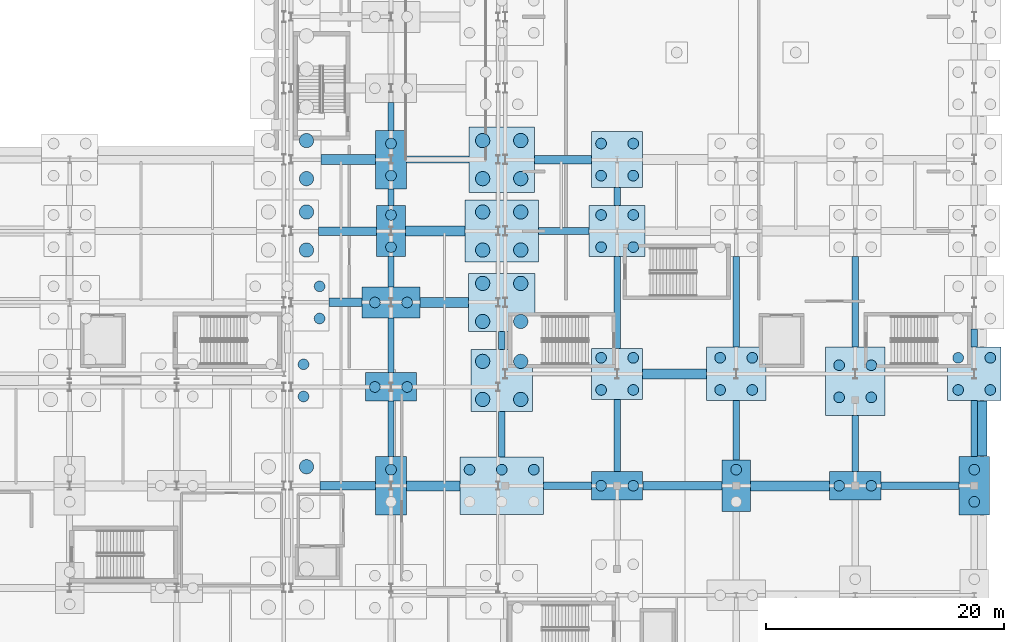
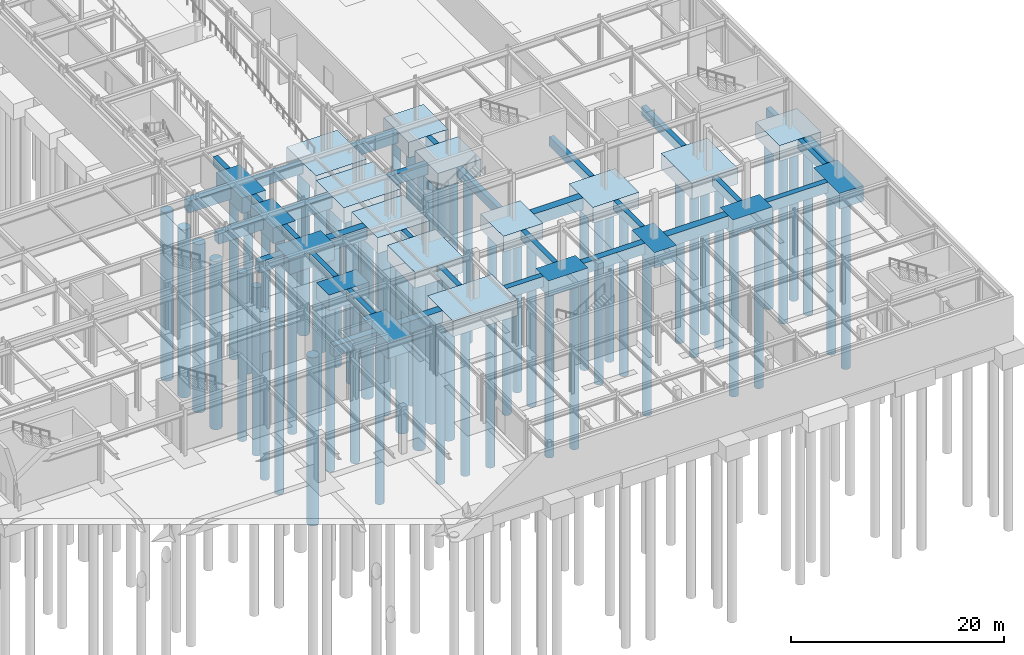
# One storey, part 9 of 65: 68 piles, 52 footings.
"""IFC4 building model written with IfcOpenShell, lengths in metres."""

from ifc_helpers import new_model, si_unit, direction, frame, origin, origin_2d, place, context, subcontext, project, spatial, rectangle, circle, extrude, material, material_profile, profile_set, type_object, element, save


model = new_model("IFC4")

# Units and contexts
model_context = context("Model", 3, precision=1e-05, world=origin(), true_north=direction((0.0, 1.0)))
body_context = subcontext(model_context, "Body", "Model", "MODEL_VIEW")
ifc_project = project(units=[si_unit("LENGTHUNIT", "METRE"), si_unit("AREAUNIT", "SQUARE_METRE"), si_unit("VOLUMEUNIT", "CUBIC_METRE"), si_unit("PLANEANGLEUNIT", "RADIAN"), si_unit("MASSUNIT", "GRAM", prefix="KILO")], contexts=[model_context])

# Site, building, storey
site_placement = place(None, origin())
site = spatial("IfcSite", under=ifc_project, at=site_placement, CompositionType="ELEMENT")
building_placement = place(site_placement, origin())
building = spatial("IfcBuilding", under=site, at=building_placement, Name="Kaldris Quays Convention Centre", CompositionType="ELEMENT")
storey_placement = place(building_placement, frame((0.0, 0.0, -5.39990234375)))
storey = spatial("IfcBuildingStorey", under=building, at=storey_placement, Name="B1", CompositionType="ELEMENT", Elevation=-5.39990234375)

# Piles
ifc_material = material(Name="Concrete C35/45", Category="concrete")
ifc_material_profile_1 = material_profile(ifc_material, circle(Radius=0.449951171875, at=origin_2d()), Name="BORED PILE D900")
ifc_profile_set_1 = profile_set([ifc_material_profile_1], Name="Concrete C35/45")
pile_type_1 = type_object("IfcPileType", Name="BORED PILE P01", PredefinedType="BORED", material=ifc_profile_set_1)
for number, where, z_axis, x_axis, name in (
    (1, (147.64990234375, 54.10009765625, -1.7001953125), (0.0, 0.0, -1.0), (1.0, 0.0, 0.0), "Bored Pile P01 460"),
    (2, (147.64990234375, 56.800048828125, -1.7001953125), (0.0, 0.0, -1.0), (1.0, 0.0, 0.0), "Bored Pile P01 462"),
    (3, (149.0, 60.64990234375, -1.7001953125), (0.0, 0.0, -1.0), (1.0, 0.0, 0.0), "Bored Pile P01 465"),
    (4, (149.0, 63.35009765625, -1.7001953125), (0.0, 0.0, -1.0), (1.0, 0.0, 0.0), "Bored Pile P01 468"),
    (5, (155.0, 47.949951171875, -1.7001953125), (0.0, 0.0, -1.0), (1.0, 0.0, 0.0), "Bored Pile P01 534"),
    (6, (153.64990234375, 54.89990234375, -1.7001953125), (0.0, 0.0, -1.0), (1.0, 0.0, 0.0), "Bored Pile P01 535"),
    (7, (156.35009765625, 54.89990234375, -1.7001953125), (0.0, 0.0, -1.0), (1.0, 0.0, 0.0), "Bored Pile P01 536"),
    (8, (153.64990234375, 62.0, -1.7001953125), (0.0, 0.0, -1.0), (1.0, 0.0, 0.0), "Bored Pile P01 537"),
    (9, (156.35009765625, 62.0, -1.7001953125), (0.0, 0.0, -1.0), (1.0, 0.0, 0.0), "Bored Pile P01 538"),
    (10, (155.0, 66.64990234375, -1.7001953125), (0.0, 0.0, -1.0), (1.0, 0.0, 0.0), "Bored Pile P01 539"),
    (11, (155.0, 69.35009765625, -1.7001953125), (0.0, 0.0, -1.0), (1.0, 0.0, 0.0), "Bored Pile P01 540"),
    (12, (155.0, 72.64990234375, -1.7001953125), (0.0, 0.0, -1.0), (1.0, 0.0, 0.0), "Bored Pile P01 541"),
    (13, (155.0, 75.35009765625, -1.7001953125), (0.0, 0.0, -1.0), (1.0, 0.0, 0.0), "Bored Pile P01 542"),
    (14, (161.60009765625, 47.949951171875, -1.7001953125), (0.0, 0.0, -1.0), (1.0, 0.0, 0.0), "Bored Pile P01 570"),
    (15, (164.300048828125, 47.949951171875, -1.7001953125), (0.0, 0.0, -1.0), (1.0, 0.0, 0.0), "Bored Pile P01 571"),
    (16, (167.0, 47.949951171875, -1.7001953125), (0.0, 0.0, -1.0), (1.0, 0.0, 0.0), "Bored Pile P01 572"),
    (17, (172.64990234375, 46.60009765625, -1.7001953125), (0.0, 0.0, -1.0), (1.0, 0.0, 0.0), "Bored Pile P01 633"),
    (18, (175.35009765625, 46.60009765625, -1.7001953125), (0.0, 0.0, -1.0), (1.0, 0.0, 0.0), "Bored Pile P01 634"),
    (19, (172.64990234375, 54.64990234375, -1.7001953125), (0.0, 0.0, -1.0), (1.0, 0.0, 0.0), "Bored Pile P01 635"),
    (20, (175.35009765625, 54.64990234375, -1.7001953125), (0.0, 0.0, -1.0), (1.0, 0.0, 0.0), "Bored Pile P01 636"),
    (21, (172.64990234375, 57.35009765625, -1.7001953125), (0.0, 0.0, -1.0), (1.0, 0.0, 0.0), "Bored Pile P01 637"),
    (22, (175.35009765625, 57.35009765625, -1.7001953125), (0.0, 0.0, -1.0), (1.0, 0.0, 0.0), "Bored Pile P01 638"),
    (23, (172.64990234375, 66.64990234375, -1.7001953125), (0.0, 0.0, -1.0), (1.0, 0.0, 0.0), "Bored Pile P01 639"),
    (24, (175.35009765625, 66.64990234375, -1.7001953125), (0.0, 0.0, -1.0), (1.0, 0.0, 0.0), "Bored Pile P01 640"),
    (25, (172.64990234375, 69.35009765625, -1.7001953125), (0.0, 0.0, -1.0), (1.0, 0.0, 0.0), "Bored Pile P01 641"),
    (26, (175.35009765625, 69.35009765625, -1.7001953125), (0.0, 0.0, -1.0), (1.0, 0.0, 0.0), "Bored Pile P01 642"),
    (27, (172.64990234375, 72.64990234375, -1.7001953125), (0.0, 0.0, -1.0), (1.0, 0.0, 0.0), "Bored Pile P01 643"),
    (28, (175.35009765625, 72.64990234375, -1.7001953125), (0.0, 0.0, -1.0), (1.0, 0.0, 0.0), "Bored Pile P01 644"),
    (29, (172.64990234375, 75.35009765625, -1.7001953125), (0.0, 0.0, -1.0), (1.0, 0.0, 0.0), "Bored Pile P01 645"),
    (30, (175.35009765625, 75.35009765625, -1.7001953125), (0.0, 0.0, -1.0), (1.0, 0.0, 0.0), "Bored Pile P01 646"),
    (31, (184.0, 47.949951171875, -1.7001953125), (0.0, 0.0, -1.0), (1.0, 0.0, 0.0), "Bored Pile P01 670"),
    (32, (182.64990234375, 54.64990234375, -1.7001953125), (0.0, 0.0, -1.0), (1.0, 0.0, 0.0), "Bored Pile P01 671"),
    (33, (185.35009765625, 54.64990234375, -1.7001953125), (0.0, 0.0, -1.0), (1.0, 0.0, 0.0), "Bored Pile P01 672"),
    (34, (182.64990234375, 57.35009765625, -1.7001953125), (0.0, 0.0, -1.0), (1.0, 0.0, 0.0), "Bored Pile P01 673"),
    (35, (185.35009765625, 57.35009765625, -1.7001953125), (0.0, 0.0, -1.0), (1.0, 0.0, 0.0), "Bored Pile P01 674"),
    (36, (192.64990234375, 46.60009765625, -1.7001953125), (0.0, 0.0, -1.0), (1.0, 0.0, 0.0), "Bored Pile P01 705"),
    (37, (195.35009765625, 46.60009765625, -1.7001953125), (0.0, 0.0, -1.0), (1.0, 0.0, 0.0), "Bored Pile P01 706"),
    (38, (192.64990234375, 54.02490234375, -1.7001953125), (0.0, 0.0, -1.0), (1.0, 0.0, 0.0), "Bored Pile P01 707"),
    (39, (195.35009765625, 54.02490234375, -1.7001953125), (0.0, 0.0, -1.0), (1.0, 0.0, 0.0), "Bored Pile P01 708"),
    (40, (192.64990234375, 56.72509765625, -1.7001953125), (0.0, 0.0, -1.0), (1.0, 0.0, 0.0), "Bored Pile P01 709"),
    (41, (195.35009765625, 56.72509765625, -1.7001953125), (0.0, 0.0, -1.0), (1.0, 0.0, 0.0), "Bored Pile P01 710"),
    (42, (204.0, 45.25, -1.7001953125), (0.0, 0.0, -1.0), (1.0, 0.0, 0.0), "Bored Pile P01 741"),
    (43, (204.0, 47.949951171875, -1.7001953125), (0.0, 0.0, -1.0), (1.0, 0.0, 0.0), "Bored Pile P01 742"),
    (44, (202.64990234375, 54.64990234375, -1.7001953125), (0.0, 0.0, -1.0), (1.0, 0.0, 0.0), "Bored Pile P01 743"),
    (45, (205.35009765625, 54.64990234375, -1.7001953125), (0.0, 0.0, -1.0), (1.0, 0.0, 0.0), "Bored Pile P01 744"),
    (46, (202.64990234375, 57.35009765625, -1.7001953125), (0.0, 0.0, -1.0), (1.0, 0.0, 0.0), "Bored Pile P01 745"),
    (47, (205.35009765625, 57.35009765625, -1.7001953125), (0.0, 0.0, -1.0), (1.0, 0.0, 0.0), "Bored Pile P01 746"),
):
    element("IfcPile", number, at=place(storey_placement, frame(where, z_axis=z_axis, x_axis=x_axis)), inside=storey, type_object=pile_type_1, Name=name, PredefinedType="BORED", context=body_context, shape_type="SweptSolid", body=[
        extrude(circle(Radius=0.449951171875, at=origin_2d()), origin(), (0.0, 0.0, 1.0), 19.300048828125),
    ])
ifc_material_profile_2 = material_profile(ifc_material, circle(Radius=0.60009765625, at=origin_2d()), Name="BORED PILE D1200")
ifc_profile_set_2 = profile_set([ifc_material_profile_2], Name="Concrete C35/45")
pile_type_2 = type_object("IfcPileType", Name="BORED PILE P02", PredefinedType="BORED", material=ifc_profile_set_2)
for number, where, z_axis, x_axis, name in (
    (48, (147.89990234375, 48.199951171875, -1.7001953125), (0.0, 0.0, -1.0), (1.0, 0.0, 0.0), "Bored Pile P02 458"),
    (49, (147.89990234375, 66.39990234375, -1.7001953125), (0.0, 0.0, -1.0), (1.0, 0.0, 0.0), "Bored Pile P02 470"),
    (50, (147.89990234375, 69.60009765625, -1.7001953125), (0.0, 0.0, -1.0), (1.0, 0.0, 0.0), "Bored Pile P02 472"),
    (51, (147.89990234375, 72.39990234375, -1.7001953125), (0.0, 0.0, -1.0), (1.0, 0.0, 0.0), "Bored Pile P02 474"),
    (52, (147.89990234375, 75.60009765625, -1.7001953125), (0.0, 0.0, -1.0), (1.0, 0.0, 0.0), "Bored Pile P02 476"),
    (53, (162.699951171875, 53.85009765625, -1.7001953125), (0.0, 0.0, -1.0), (1.0, 0.0, 0.0), "Bored Pile P02 573"),
    (54, (165.89990234375, 53.85009765625, -1.7001953125), (0.0, 0.0, -1.0), (1.0, 0.0, 0.0), "Bored Pile P02 574"),
    (55, (162.699951171875, 57.050048828125, -1.7001953125), (0.0, 0.0, -1.0), (1.0, 0.0, 0.0), "Bored Pile P02 575"),
    (56, (165.89990234375, 57.050048828125, -1.7001953125), (0.0, 0.0, -1.0), (1.0, 0.0, 0.0), "Bored Pile P02 576"),
    (57, (162.699951171875, 60.39990234375, -1.7001953125), (0.0, 0.0, -1.0), (1.0, 0.0, 0.0), "Bored Pile P02 577"),
    (58, (165.89990234375, 60.39990234375, -1.7001953125), (0.0, 0.0, -1.0), (1.0, 0.0, 0.0), "Bored Pile P02 578"),
    (59, (162.699951171875, 63.60009765625, -1.7001953125), (0.0, 0.0, -1.0), (1.0, 0.0, 0.0), "Bored Pile P02 579"),
    (60, (165.89990234375, 63.60009765625, -1.7001953125), (0.0, 0.0, -1.0), (1.0, 0.0, 0.0), "Bored Pile P02 580"),
    (61, (162.699951171875, 66.39990234375, -1.7001953125), (0.0, 0.0, -1.0), (1.0, 0.0, 0.0), "Bored Pile P02 581"),
    (62, (165.89990234375, 66.39990234375, -1.7001953125), (0.0, 0.0, -1.0), (1.0, 0.0, 0.0), "Bored Pile P02 582"),
    (63, (162.699951171875, 69.60009765625, -1.7001953125), (0.0, 0.0, -1.0), (1.0, 0.0, 0.0), "Bored Pile P02 583"),
    (64, (165.89990234375, 69.60009765625, -1.7001953125), (0.0, 0.0, -1.0), (1.0, 0.0, 0.0), "Bored Pile P02 584"),
    (65, (162.699951171875, 72.39990234375, -1.7001953125), (0.0, 0.0, -1.0), (1.0, 0.0, 0.0), "Bored Pile P02 585"),
    (66, (165.89990234375, 72.39990234375, -1.7001953125), (0.0, 0.0, -1.0), (1.0, 0.0, 0.0), "Bored Pile P02 586"),
    (67, (162.699951171875, 75.60009765625, -1.7001953125), (0.0, 0.0, -1.0), (1.0, 0.0, 0.0), "Bored Pile P02 587"),
    (68, (165.89990234375, 75.60009765625, -1.7001953125), (0.0, 0.0, -1.0), (1.0, 0.0, 0.0), "Bored Pile P02 588"),
):
    element("IfcPile", number, at=place(storey_placement, frame(where, z_axis=z_axis, x_axis=x_axis)), inside=storey, type_object=pile_type_2, Name=name, PredefinedType="BORED", context=body_context, shape_type="SweptSolid", body=[
        extrude(circle(Radius=0.60009765625, at=origin_2d()), origin(), (0.0, 0.0, 1.0), 19.300048828125),
    ])

# Footings
footing_type_1 = type_object("IfcFootingType", Name="CONCRETE FOOTING PC02", PredefinedType="PILE_CAP", material=ifc_material)
for number, where, z_axis, x_axis, name in (
    (69, (155.0, 54.89990234375, -1.80029296875), (0.0, 0.0, 1.0), (1.0, 0.0, 0.0), "Pile Cap CAP-145 (PC02)"),
    (70, (174.0, 46.60009765625, -1.80029296875), (0.0, 0.0, 1.0), (1.0, 0.0, 0.0), "Pile Cap CAP-185 (PC02)"),
    (71, (194.0, 46.60009765625, -1.80029296875), (0.0, 0.0, 1.0), (1.0, 0.0, 0.0), "Pile Cap CAP-213 (PC02)"),
):
    element("IfcFooting", number, at=place(storey_placement, frame(where, z_axis=z_axis, x_axis=x_axis)), inside=storey, type_object=footing_type_1, Name=name, PredefinedType="PILE_CAP", context=body_context, shape_type="SweptSolid", body=[
        extrude(rectangle(XDim=4.300048828125, YDim=2.39990234375, at=origin_2d()), origin(), (0.0, 0.0, 1.0), 1.800048828125),
    ])
footing_type_2 = type_object("IfcFootingType", Name="CONCRETE FOOTING PC03", PredefinedType="PILE_CAP", material=ifc_material)
for number, where, z_axis, x_axis, name in (
    (72, (155.0, 68.0, -1.80029296875), (0.0, 0.0, 1.0), (1.0, 0.0, 0.0), "Pile Cap CAP-147 (PC03)"),
    (73, (184.0, 46.60009765625, -1.80029296875), (0.0, 0.0, 1.0), (1.0, 0.0, 0.0), "Pile Cap CAP-199 (PC03)"),
):
    element("IfcFooting", number, at=place(storey_placement, frame(where, z_axis=z_axis, x_axis=x_axis)), inside=storey, type_object=footing_type_2, Name=name, PredefinedType="PILE_CAP", context=body_context, shape_type="SweptSolid", body=[
        extrude(rectangle(XDim=2.39990234375, YDim=4.300048828125, at=origin_2d()), origin(), (0.0, 0.0, 1.0), 1.800048828125),
    ])
footing_type_3 = type_object("IfcFootingType", Name="CONCRETE FOOTING PC04", PredefinedType="PILE_CAP", material=ifc_material)
footing_1_placement = place(storey_placement, frame((174.0, 56.0, -1.80029296875), z_axis=(0.0, 0.0, 1.0), x_axis=(1.0, 0.0, 0.0)))
element("IfcFooting", 74, at=footing_1_placement, inside=storey, type_object=footing_type_3, Name="Pile Cap CAP-186 (PC04)", PredefinedType="PILE_CAP", context=body_context, shape_type="SweptSolid", body=[
    extrude(rectangle(XDim=4.300048828125, YDim=4.300048828125, at=origin_2d()), origin(), (0.0, 0.0, 1.0), 1.800048828125),
])
footing_type_4 = type_object("IfcFootingType", Name="CONCRETE FOOTING PC05", PredefinedType="PILE_CAP", material=ifc_material)
footing_2_placement = place(storey_placement, frame((164.300048828125, 55.449951171875, -1.80029296875), z_axis=(0.0, 0.0, 1.0), x_axis=(1.0, 0.0, 0.0)))
element("IfcFooting", 75, at=footing_2_placement, inside=storey, type_object=footing_type_4, Name="Pile Cap CAP-163 (PC05)", PredefinedType="PILE_CAP", context=body_context, shape_type="SweptSolid", body=[
    extrude(rectangle(XDim=5.199951171875, YDim=5.199951171875, at=origin_2d()), origin(), (0.0, 0.0, 1.0), 1.800048828125),
])
footing_type_5 = type_object("IfcFootingType", Name="CONCRETE FOOTING PC06", PredefinedType="PILE_CAP", material=ifc_material)
footing_3_placement = place(storey_placement, frame((164.300048828125, 46.60009765625, -1.80029296875), z_axis=(0.0, 0.0, 1.0), x_axis=(1.0, 0.0, 0.0)))
element("IfcFooting", 76, at=footing_3_placement, inside=storey, type_object=footing_type_5, Name="Pile Cap CAP-162 (PC06)", PredefinedType="PILE_CAP", context=body_context, shape_type="SweptSolid", body=[
    extrude(rectangle(XDim=7.0, YDim=4.800048828125, at=origin_2d()), origin(), (0.0, 0.0, 1.0), 1.800048828125),
])
footing_type_6 = type_object("IfcFootingType", Name="CONCRETE FOOTING PC07", PredefinedType="PILE_CAP", material=ifc_material)
footing_4_placement = place(storey_placement, frame((174.0, 68.0, -1.80029296875), z_axis=(0.0, 0.0, 1.0), x_axis=(1.0, 0.0, 0.0)))
element("IfcFooting", 77, at=footing_4_placement, inside=storey, type_object=footing_type_6, Name="Pile Cap CAP-187 (PC07)", PredefinedType="PILE_CAP", context=body_context, shape_type="SweptSolid", body=[
    extrude(rectangle(XDim=4.699951171875, YDim=4.300048828125, at=origin_2d()), origin(), (0.0, 0.0, 1.0), 1.800048828125),
])
footing_type_7 = type_object("IfcFootingType", Name="CONCRETE FOOTING PC08", PredefinedType="PILE_CAP", material=ifc_material)
footing_5_placement = place(storey_placement, frame((174.0, 74.0, -1.80029296875), z_axis=(0.0, 0.0, 1.0), x_axis=(1.0, 0.0, 0.0)))
element("IfcFooting", 78, at=footing_5_placement, inside=storey, type_object=footing_type_7, Name="Pile Cap CAP-188 (PC08)", PredefinedType="PILE_CAP", context=body_context, shape_type="SweptSolid", body=[
    extrude(rectangle(XDim=4.300048828125, YDim=4.699951171875, at=origin_2d()), origin(), (0.0, 0.0, 1.0), 1.800048828125),
])
footing_type_8 = type_object("IfcFootingType", Name="CONCRETE FOOTING PC09", PredefinedType="PILE_CAP", material=ifc_material)
footing_6_placement = place(storey_placement, frame((164.300048828125, 62.0, -1.80029296875), z_axis=(0.0, 0.0, 1.0), x_axis=(1.0, 0.0, 0.0)))
element("IfcFooting", 79, at=footing_6_placement, inside=storey, type_object=footing_type_8, Name="Pile Cap CAP-164 (PC09)", PredefinedType="PILE_CAP", context=body_context, shape_type="SweptSolid", body=[
    extrude(rectangle(XDim=5.60009765625, YDim=4.89990234375, at=origin_2d()), origin(), (0.0, 0.0, 1.0), 1.800048828125),
])
footing_type_9 = type_object("IfcFootingType", Name="CONCRETE FOOTING PC10", PredefinedType="PILE_CAP", material=ifc_material)
footing_7_placement = place(storey_placement, frame((164.300048828125, 68.0, -1.80029296875), z_axis=(0.0, 0.0, 1.0), x_axis=(1.0, 0.0, 0.0)))
element("IfcFooting", 80, at=footing_7_placement, inside=storey, type_object=footing_type_9, Name="Pile Cap CAP-165 (PC10)", PredefinedType="PILE_CAP", context=body_context, shape_type="SweptSolid", body=[
    extrude(rectangle(XDim=6.199951171875, YDim=5.199951171875, at=origin_2d()), origin(), (0.0, 0.0, 1.0), 1.800048828125),
])
footing_type_10 = type_object("IfcFootingType", Name="CONCRETE FOOTING PC11", PredefinedType="PILE_CAP", material=ifc_material)
footing_8_placement = place(storey_placement, frame((155.0, 62.0, -1.80029296875), z_axis=(0.0, 0.0, 1.0), x_axis=(1.0, 0.0, 0.0)))
element("IfcFooting", 81, at=footing_8_placement, inside=storey, type_object=footing_type_10, Name="Pile Cap CAP-146 (PC11)", PredefinedType="PILE_CAP", context=body_context, shape_type="SweptSolid", body=[
    extrude(rectangle(XDim=4.89990234375, YDim=2.60009765625, at=origin_2d()), origin(), (0.0, 0.0, 1.0), 1.800048828125),
])
footing_type_11 = type_object("IfcFootingType", Name="CONCRETE FOOTING PC12", PredefinedType="PILE_CAP", material=ifc_material)
for number, where, z_axis, x_axis, name in (
    (82, (155.0, 46.60009765625, -1.80029296875), (0.0, 0.0, 1.0), (1.0, 0.0, 0.0), "Pile Cap CAP-144 (PC12)"),
    (83, (155.0, 74.0, -1.80029296875), (0.0, 0.0, 1.0), (1.0, 0.0, 0.0), "Pile Cap CAP-148 (PC12)"),
    (84, (204.0, 46.60009765625, -1.80029296875), (0.0, 0.0, 1.0), (1.0, 0.0, 0.0), "Pile Cap CAP-228 (PC12)"),
):
    element("IfcFooting", number, at=place(storey_placement, frame(where, z_axis=z_axis, x_axis=x_axis)), inside=storey, type_object=footing_type_11, Name=name, PredefinedType="PILE_CAP", context=body_context, shape_type="SweptSolid", body=[
        extrude(rectangle(XDim=2.60009765625, YDim=4.89990234375, at=origin_2d()), origin(), (0.0, 0.0, 1.0), 1.800048828125),
    ])
footing_type_12 = type_object("IfcFootingType", Name="CONCRETE FOOTING PC13", PredefinedType="PILE_CAP", material=ifc_material)
footing_9_placement = place(storey_placement, frame((204.0, 56.0, -1.80029296875), z_axis=(0.0, 0.0, 1.0), x_axis=(1.0, 0.0, 0.0)))
element("IfcFooting", 85, at=footing_9_placement, inside=storey, type_object=footing_type_12, Name="Pile Cap CAP-229 (PC13)", PredefinedType="PILE_CAP", context=body_context, shape_type="SweptSolid", body=[
    extrude(rectangle(XDim=4.5, YDim=4.5, at=origin_2d()), origin(), (0.0, 0.0, 1.0), 1.800048828125),
])
footing_type_13 = type_object("IfcFootingType", Name="CONCRETE FOOTING PC14", PredefinedType="PILE_CAP", material=ifc_material)
footing_10_placement = place(storey_placement, frame((184.0, 56.0, -1.80029296875), z_axis=(0.0, 0.0, 1.0), x_axis=(1.0, 0.0, 0.0)))
element("IfcFooting", 86, at=footing_10_placement, inside=storey, type_object=footing_type_13, Name="Pile Cap CAP-200 (PC14)", PredefinedType="PILE_CAP", context=body_context, shape_type="SweptSolid", body=[
    extrude(rectangle(XDim=5.0, YDim=4.5, at=origin_2d()), origin(), (0.0, 0.0, 1.0), 1.800048828125),
])
footing_type_14 = type_object("IfcFootingType", Name="CONCRETE FOOTING PC15", PredefinedType="PILE_CAP", material=ifc_material)
footing_11_placement = place(storey_placement, frame((164.300048828125, 74.0, -1.80029296875), z_axis=(0.0, 0.0, 1.0), x_axis=(1.0, 0.0, 0.0)))
element("IfcFooting", 87, at=footing_11_placement, inside=storey, type_object=footing_type_14, Name="Pile Cap CAP-166 (PC15)", PredefinedType="PILE_CAP", context=body_context, shape_type="SweptSolid", body=[
    extrude(rectangle(XDim=5.5, YDim=5.5, at=origin_2d()), origin(), (0.0, 0.0, 1.0), 1.800048828125),
])
footing_type_15 = type_object("IfcFootingType", Name="CONCRETE FOOTING PCM06", PredefinedType="PILE_CAP", material=ifc_material)
footing_12_placement = place(storey_placement, frame((194.0, 55.375, -1.80029296875), z_axis=(0.0, 0.0, 1.0), x_axis=(1.0, 0.0, 0.0)))
element("IfcFooting", 88, at=footing_12_placement, inside=storey, type_object=footing_type_15, Name="Pile Cap CAP-214 (PCM06)", PredefinedType="PILE_CAP", context=body_context, shape_type="SweptSolid", body=[
    extrude(rectangle(XDim=5.0, YDim=5.75, at=origin_2d()), origin(), (0.0, 0.0, 1.0), 1.800048828125),
])
footing_type_16 = type_object("IfcFootingType", Name="GROUND TIE BEAM GB01", PredefinedType="FOOTING_BEAM", material=ifc_material)
footing_13_placement = place(storey_placement, frame((169.824951171875, 46.60009765625, -1.2001953125), z_axis=(0.0, 0.0, 1.0), x_axis=(1.0, 0.0, 0.0)))
element("IfcFooting", 89, at=footing_13_placement, inside=storey, type_object=footing_type_16, Name="Ground Tie Beam GB01 66", PredefinedType="FOOTING_BEAM", context=body_context, shape_type="SweptSolid", body=[
    extrude(rectangle(XDim=4.050048828125, YDim=0.60009765625, at=origin_2d()), origin(), (0.0, 0.0, 1.0), 1.199951171875),
])
footing_14_placement = place(storey_placement, frame((199.425048828125, 46.60009765625, -1.2001953125), z_axis=(0.0, 0.0, 1.0), x_axis=(1.0, 0.0, 0.0)))
element("IfcFooting", 90, at=footing_14_placement, inside=storey, type_object=footing_type_16, Name="Ground Tie Beam GB01 69", PredefinedType="FOOTING_BEAM", context=body_context, shape_type="SweptSolid", body=[
    extrude(rectangle(XDim=6.550048828125, YDim=0.60009765625, at=origin_2d()), origin(), (0.0, 0.0, 1.0), 1.199951171875),
])
footing_15_placement = place(storey_placement, frame((169.52490234375, 68.0, -1.2001953125), z_axis=(0.0, 0.0, 1.0), x_axis=(1.0, 0.0, 0.0)))
element("IfcFooting", 91, at=footing_15_placement, inside=storey, type_object=footing_type_16, Name="Ground Tie Beam GB01 102", PredefinedType="FOOTING_BEAM", context=body_context, shape_type="SweptSolid", body=[
    extrude(rectangle(XDim=4.25, YDim=0.60009765625, at=origin_2d()), origin(), (0.0, 0.0, 1.0), 1.199951171875),
])
footing_16_placement = place(storey_placement, frame((158.925048828125, 74.0, -1.2001953125), z_axis=(0.0, 0.0, 1.0), x_axis=(1.0, 0.0, 0.0)))
element("IfcFooting", 92, at=footing_16_placement, inside=storey, type_object=footing_type_16, Name="Ground Tie Beam GB01 114", PredefinedType="FOOTING_BEAM", context=body_context, shape_type="SweptSolid", body=[
    extrude(rectangle(XDim=5.25, YDim=0.60009765625, at=origin_2d()), origin(), (0.0, 0.0, 1.0), 1.199951171875),
])
footing_type_17 = type_object("IfcFootingType", Name="GROUND TIE BEAM GB02", PredefinedType="FOOTING_BEAM", material=ifc_material)
footing_17_placement = place(storey_placement, frame((151.375, 46.60009765625, -1.25), z_axis=(0.0, 0.0, 1.0), x_axis=(1.0, 0.0, 0.0)))
element("IfcFooting", 93, at=footing_17_placement, inside=storey, type_object=footing_type_17, Name="Ground Tie Beam GB02 64", PredefinedType="FOOTING_BEAM", context=body_context, shape_type="SweptSolid", body=[
    extrude(rectangle(XDim=4.64990234375, YDim=0.719970703125, at=origin_2d()), origin(), (0.0, 0.0, 1.0), 1.25),
])
footing_18_placement = place(storey_placement, frame((179.47509765625, 46.60009765625, -1.25), z_axis=(0.0, 0.0, 1.0), x_axis=(1.0, 0.0, 0.0)))
element("IfcFooting", 94, at=footing_18_placement, inside=storey, type_object=footing_type_17, Name="Ground Tie Beam GB02 67", PredefinedType="FOOTING_BEAM", context=body_context, shape_type="SweptSolid", body=[
    extrude(rectangle(XDim=6.64990234375, YDim=0.719970703125, at=origin_2d()), origin(), (0.0, 0.0, 1.0), 1.25),
])
footing_19_placement = place(storey_placement, frame((151.175048828125, 62.0, -1.25), z_axis=(0.0, 0.0, 1.0), x_axis=(1.0, 0.0, 0.0)))
element("IfcFooting", 95, at=footing_19_placement, inside=storey, type_object=footing_type_17, Name="Ground Tie Beam GB02 91", PredefinedType="FOOTING_BEAM", context=body_context, shape_type="SweptSolid", body=[
    extrude(rectangle(XDim=2.75, YDim=0.719970703125, at=origin_2d()), origin(), (0.0, 0.0, 1.0), 1.25),
])
footing_20_placement = place(storey_placement, frame((151.35009765625, 68.0, -1.25), z_axis=(0.0, 0.0, 1.0), x_axis=(1.0, 0.0, 0.0)))
element("IfcFooting", 96, at=footing_20_placement, inside=storey, type_object=footing_type_17, Name="Ground Tie Beam GB02 100", PredefinedType="FOOTING_BEAM", context=body_context, shape_type="SweptSolid", body=[
    extrude(rectangle(XDim=4.89990234375, YDim=0.719970703125, at=origin_2d()), origin(), (0.0, 0.0, 1.0), 1.25),
])
footing_21_placement = place(storey_placement, frame((169.449951171875, 74.0, -1.25), z_axis=(0.0, 0.0, 1.0), x_axis=(1.0, 0.0, 0.0)))
element("IfcFooting", 97, at=footing_21_placement, inside=storey, type_object=footing_type_17, Name="Ground Tie Beam GB02 115", PredefinedType="FOOTING_BEAM", context=body_context, shape_type="SweptSolid", body=[
    extrude(rectangle(XDim=4.800048828125, YDim=0.719970703125, at=origin_2d()), origin(), (0.0, 0.0, 1.0), 1.25),
])
footing_type_18 = type_object("IfcFootingType", Name="GROUND TIE BEAM GB03", PredefinedType="FOOTING_BEAM", material=ifc_material)
footing_22_placement = place(storey_placement, frame((155.0, 51.375, -1.05029296875), z_axis=(0.0, 0.0, 1.0), x_axis=(1.0, 0.0, 0.0)))
element("IfcFooting", 98, at=footing_22_placement, inside=storey, type_object=footing_type_18, Name="Ground Tie Beam GB03 273", PredefinedType="FOOTING_BEAM", context=body_context, shape_type="SweptSolid", body=[
    extrude(rectangle(XDim=0.52001953125, YDim=4.64990234375, at=origin_2d()), origin(), (0.0, 0.0, 1.0), 1.050048828125),
])
footing_23_placement = place(storey_placement, frame((155.0, 58.39990234375, -1.05029296875), z_axis=(0.0, 0.0, 1.0), x_axis=(1.0, 0.0, 0.0)))
element("IfcFooting", 99, at=footing_23_placement, inside=storey, type_object=footing_type_18, Name="Ground Tie Beam GB03 274", PredefinedType="FOOTING_BEAM", context=body_context, shape_type="SweptSolid", body=[
    extrude(rectangle(XDim=0.52001953125, YDim=4.60009765625, at=origin_2d()), origin(), (0.0, 0.0, 1.0), 1.050048828125),
])
footing_24_placement = place(storey_placement, frame((155.0, 64.574951171875, -1.05029296875), z_axis=(0.0, 0.0, 1.0), x_axis=(1.0, 0.0, 0.0)))
element("IfcFooting", 100, at=footing_24_placement, inside=storey, type_object=footing_type_18, Name="Ground Tie Beam GB03 275", PredefinedType="FOOTING_BEAM", context=body_context, shape_type="SweptSolid", body=[
    extrude(rectangle(XDim=0.52001953125, YDim=2.550048828125, at=origin_2d()), origin(), (0.0, 0.0, 1.0), 1.050048828125),
])
footing_25_placement = place(storey_placement, frame((155.0, 70.85009765625, -1.05029296875), z_axis=(0.0, 0.0, 1.0), x_axis=(1.0, 0.0, 0.0)))
element("IfcFooting", 101, at=footing_25_placement, inside=storey, type_object=footing_type_18, Name="Ground Tie Beam GB03 276", PredefinedType="FOOTING_BEAM", context=body_context, shape_type="SweptSolid", body=[
    extrude(rectangle(XDim=0.52001953125, YDim=1.39990234375, at=origin_2d()), origin(), (0.0, 0.0, 1.0), 1.050048828125),
])
footing_26_placement = place(storey_placement, frame((155.0, 77.625, -1.05029296875), z_axis=(0.0, 0.0, 1.0), x_axis=(1.0, 0.0, 0.0)))
element("IfcFooting", 102, at=footing_26_placement, inside=storey, type_object=footing_type_18, Name="Ground Tie Beam GB03 277", PredefinedType="FOOTING_BEAM", context=body_context, shape_type="SweptSolid", body=[
    extrude(rectangle(XDim=0.52001953125, YDim=2.35009765625, at=origin_2d()), origin(), (0.0, 0.0, 1.0), 1.050048828125),
])
footing_27_placement = place(storey_placement, frame((164.300048828125, 50.925048828125, -1.05029296875), z_axis=(0.0, 0.0, 1.0), x_axis=(1.0, 0.0, 0.0)))
element("IfcFooting", 103, at=footing_27_placement, inside=storey, type_object=footing_type_18, Name="Ground Tie Beam GB03 285", PredefinedType="FOOTING_BEAM", context=body_context, shape_type="SweptSolid", body=[
    extrude(rectangle(XDim=0.52001953125, YDim=3.85009765625, at=origin_2d()), origin(), (0.0, 0.0, 1.0), 1.050048828125),
])
footing_28_placement = place(storey_placement, frame((164.300048828125, 58.800048828125, -1.05029296875), z_axis=(0.0, 0.0, 1.0), x_axis=(1.0, 0.0, 0.0)))
element("IfcFooting", 104, at=footing_28_placement, inside=storey, type_object=footing_type_18, Name="Ground Tie Beam GB03 286", PredefinedType="FOOTING_BEAM", context=body_context, shape_type="SweptSolid", body=[
    extrude(rectangle(XDim=0.52001953125, YDim=1.5, at=origin_2d()), origin(), (0.0, 0.0, 1.0), 1.050048828125),
])
footing_29_placement = place(storey_placement, frame((174.0, 50.824951171875, -1.05029296875), z_axis=(0.0, 0.0, 1.0), x_axis=(1.0, 0.0, 0.0)))
element("IfcFooting", 105, at=footing_29_placement, inside=storey, type_object=footing_type_18, Name="Ground Tie Beam GB03 294", PredefinedType="FOOTING_BEAM", context=body_context, shape_type="SweptSolid", body=[
    extrude(rectangle(XDim=0.52001953125, YDim=6.050048828125, at=origin_2d()), origin(), (0.0, 0.0, 1.0), 1.050048828125),
])
footing_30_placement = place(storey_placement, frame((174.0, 62.0, -1.05029296875), z_axis=(0.0, 0.0, 1.0), x_axis=(1.0, 0.0, 0.0)))
element("IfcFooting", 106, at=footing_30_placement, inside=storey, type_object=footing_type_18, Name="Ground Tie Beam GB03 295", PredefinedType="FOOTING_BEAM", context=body_context, shape_type="SweptSolid", body=[
    extrude(rectangle(XDim=0.52001953125, YDim=7.699951171875, at=origin_2d()), origin(), (0.0, 0.0, 1.0), 1.050048828125),
])
footing_31_placement = place(storey_placement, frame((174.0, 70.89990234375, -1.05029296875), z_axis=(0.0, 0.0, 1.0), x_axis=(1.0, 0.0, 0.0)))
element("IfcFooting", 107, at=footing_31_placement, inside=storey, type_object=footing_type_18, Name="Ground Tie Beam GB03 296", PredefinedType="FOOTING_BEAM", context=body_context, shape_type="SweptSolid", body=[
    extrude(rectangle(XDim=0.52001953125, YDim=1.5, at=origin_2d()), origin(), (0.0, 0.0, 1.0), 1.050048828125),
])
footing_32_placement = place(storey_placement, frame((184.0, 51.25, -1.05029296875), z_axis=(0.0, 0.0, 1.0), x_axis=(1.0, 0.0, 0.0)))
element("IfcFooting", 108, at=footing_32_placement, inside=storey, type_object=footing_type_18, Name="Ground Tie Beam GB03 305", PredefinedType="FOOTING_BEAM", context=body_context, shape_type="SweptSolid", body=[
    extrude(rectangle(XDim=0.52001953125, YDim=5.0, at=origin_2d()), origin(), (0.0, 0.0, 1.0), 1.050048828125),
])
footing_33_placement = place(storey_placement, frame((184.0, 62.050048828125, -1.05029296875), z_axis=(0.0, 0.0, 1.0), x_axis=(1.0, 0.0, 0.0)))
element("IfcFooting", 109, at=footing_33_placement, inside=storey, type_object=footing_type_18, Name="Ground Tie Beam GB03 306", PredefinedType="FOOTING_BEAM", context=body_context, shape_type="SweptSolid", body=[
    extrude(rectangle(XDim=0.52001953125, YDim=7.60009765625, at=origin_2d()), origin(), (0.0, 0.0, 1.0), 1.050048828125),
])
footing_34_placement = place(storey_placement, frame((194.0, 50.14990234375, -1.05029296875), z_axis=(0.0, 0.0, 1.0), x_axis=(1.0, 0.0, 0.0)))
element("IfcFooting", 110, at=footing_34_placement, inside=storey, type_object=footing_type_18, Name="Ground Tie Beam GB03 316", PredefinedType="FOOTING_BEAM", context=body_context, shape_type="SweptSolid", body=[
    extrude(rectangle(XDim=0.52001953125, YDim=4.699951171875, at=origin_2d()), origin(), (0.0, 0.0, 1.0), 1.050048828125),
])
footing_35_placement = place(storey_placement, frame((194.0, 62.050048828125, -1.05029296875), z_axis=(0.0, 0.0, 1.0), x_axis=(1.0, 0.0, 0.0)))
element("IfcFooting", 111, at=footing_35_placement, inside=storey, type_object=footing_type_18, Name="Ground Tie Beam GB03 317", PredefinedType="FOOTING_BEAM", context=body_context, shape_type="SweptSolid", body=[
    extrude(rectangle(XDim=0.52001953125, YDim=7.60009765625, at=origin_2d()), origin(), (0.0, 0.0, 1.0), 1.050048828125),
])
footing_36_placement = place(storey_placement, frame((204.0, 51.39990234375, -1.05029296875), z_axis=(0.0, 0.0, 1.0), x_axis=(1.0, 0.0, 0.0)))
element("IfcFooting", 112, at=footing_36_placement, inside=storey, type_object=footing_type_18, Name="Ground Tie Beam GB03 326", PredefinedType="FOOTING_BEAM", context=body_context, shape_type="SweptSolid", body=[
    extrude(rectangle(XDim=0.52001953125, YDim=4.699951171875, at=origin_2d()), origin(), (0.0, 0.0, 1.0), 1.050048828125),
])
footing_37_placement = place(storey_placement, frame((204.0, 59.0, -1.05029296875), z_axis=(0.0, 0.0, 1.0), x_axis=(1.0, 0.0, 0.0)))
element("IfcFooting", 113, at=footing_37_placement, inside=storey, type_object=footing_type_18, Name="Ground Tie Beam GB03 327", PredefinedType="FOOTING_BEAM", context=body_context, shape_type="SweptSolid", body=[
    extrude(rectangle(XDim=0.52001953125, YDim=1.5, at=origin_2d()), origin(), (0.0, 0.0, 1.0), 1.050048828125),
])
footing_type_19 = type_object("IfcFootingType", Name="GROUND TIE BEAM GB04", PredefinedType="FOOTING_BEAM", material=ifc_material)
footing_38_placement = place(storey_placement, frame((158.550048828125, 46.60009765625, -1.35009765625), z_axis=(0.0, 0.0, 1.0), x_axis=(1.0, 0.0, 0.0)))
element("IfcFooting", 114, at=footing_38_placement, inside=storey, type_object=footing_type_19, Name="Ground Tie Beam GB04 65", PredefinedType="FOOTING_BEAM", context=body_context, shape_type="SweptSolid", body=[
    extrude(rectangle(XDim=4.5, YDim=0.840087890625, at=origin_2d()), origin(), (0.0, 0.0, 1.0), 1.35009765625),
])
footing_39_placement = place(storey_placement, frame((188.52490234375, 46.60009765625, -1.35009765625), z_axis=(0.0, 0.0, 1.0), x_axis=(1.0, 0.0, 0.0)))
element("IfcFooting", 115, at=footing_39_placement, inside=storey, type_object=footing_type_19, Name="Ground Tie Beam GB04 68", PredefinedType="FOOTING_BEAM", context=body_context, shape_type="SweptSolid", body=[
    extrude(rectangle(XDim=6.64990234375, YDim=0.840087890625, at=origin_2d()), origin(), (0.0, 0.0, 1.0), 1.35009765625),
])
footing_40_placement = place(storey_placement, frame((178.824951171875, 56.0, -1.35009765625), z_axis=(0.0, 0.0, 1.0), x_axis=(1.0, 0.0, 0.0)))
element("IfcFooting", 116, at=footing_40_placement, inside=storey, type_object=footing_type_19, Name="Ground Tie Beam GB04 83", PredefinedType="FOOTING_BEAM", context=body_context, shape_type="SweptSolid", body=[
    extrude(rectangle(XDim=5.35009765625, YDim=0.840087890625, at=origin_2d()), origin(), (0.0, 0.0, 1.0), 1.35009765625),
])
footing_41_placement = place(storey_placement, frame((159.47509765625, 62.0, -1.35009765625), z_axis=(0.0, 0.0, 1.0), x_axis=(1.0, 0.0, 0.0)))
element("IfcFooting", 117, at=footing_41_placement, inside=storey, type_object=footing_type_19, Name="Ground Tie Beam GB04 92", PredefinedType="FOOTING_BEAM", context=body_context, shape_type="SweptSolid", body=[
    extrude(rectangle(XDim=4.050048828125, YDim=0.840087890625, at=origin_2d()), origin(), (0.0, 0.0, 1.0), 1.35009765625),
])
footing_42_placement = place(storey_placement, frame((158.699951171875, 68.0, -1.35009765625), z_axis=(0.0, 0.0, 1.0), x_axis=(1.0, 0.0, 0.0)))
element("IfcFooting", 118, at=footing_42_placement, inside=storey, type_object=footing_type_19, Name="Ground Tie Beam GB04 101", PredefinedType="FOOTING_BEAM", context=body_context, shape_type="SweptSolid", body=[
    extrude(rectangle(XDim=5.0, YDim=0.840087890625, at=origin_2d()), origin(), (0.0, 0.0, 1.0), 1.35009765625),
])
footing_43_placement = place(storey_placement, frame((151.39990234375, 74.0, -1.35009765625), z_axis=(0.0, 0.0, 1.0), x_axis=(1.0, 0.0, 0.0)))
element("IfcFooting", 119, at=footing_43_placement, inside=storey, type_object=footing_type_19, Name="Ground Tie Beam GB04 113", PredefinedType="FOOTING_BEAM", context=body_context, shape_type="SweptSolid", body=[
    extrude(rectangle(XDim=4.60009765625, YDim=0.840087890625, at=origin_2d()), origin(), (0.0, 0.0, 1.0), 1.35009765625),
])
footing_44_placement = place(storey_placement, frame((204.64990234375, 51.39990234375, -1.35009765625), z_axis=(0.0, 0.0, 1.0), x_axis=(1.0, 0.0, 0.0)))
element("IfcFooting", 120, at=footing_44_placement, inside=storey, type_object=footing_type_19, Name="Perimeter Retaining Wall Strip Footing GB04 33", PredefinedType="FOOTING_BEAM", context=body_context, shape_type="SweptSolid", body=[
    extrude(rectangle(XDim=0.840087890625, YDim=4.639892578125, at=origin_2d()), origin(), (0.0, 0.0, 1.0), 1.35009765625),
])

save(model, "model.ifc")
